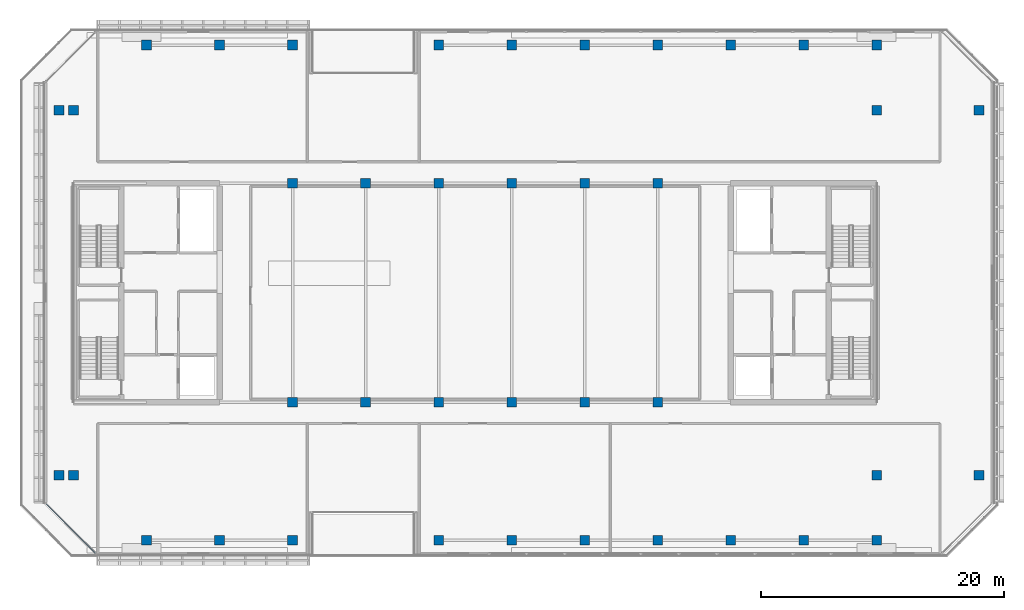
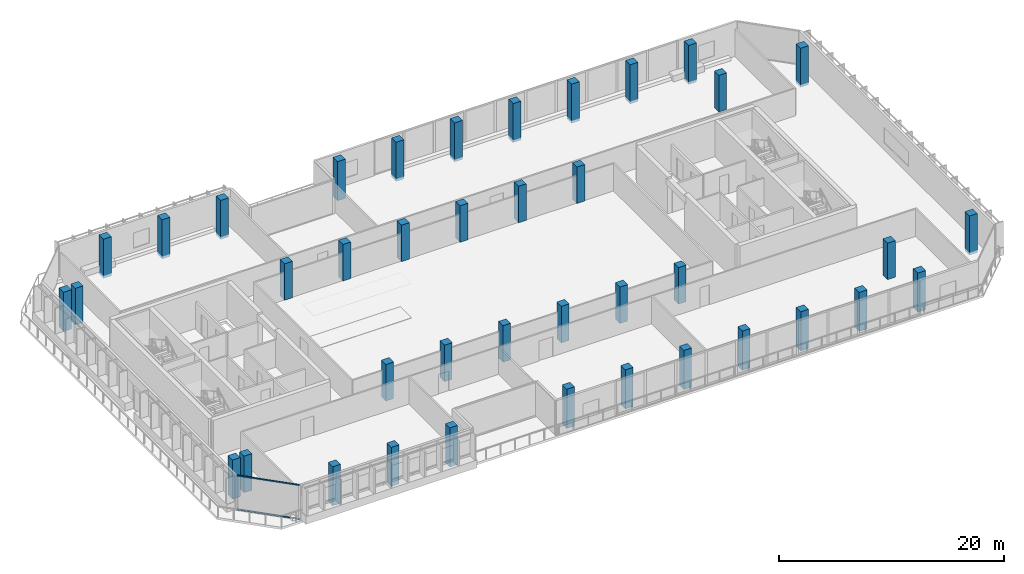
# One storey, part 1 of 26: 40 columns, 2 members, 1 element without a shape of its own.
"""IFC4 building model written with IfcOpenShell, lengths in metres."""

from ifc_helpers import new_model, si_unit, direction, frame, origin, origin_2d, place, context, subcontext, project, spatial, rectangle, hollow_rectangle, extrude, material, layer, layer_set, material_profile, profile_set, type_object, element, aggregate, save


model = new_model("IFC4")

# Units and contexts
model_context = context("Model", 3, precision=1e-05, world=origin(), true_north=direction((0.0, 1.0)))
body_context = subcontext(model_context, "Body", "Model", "MODEL_VIEW")
ifc_project = project(units=[si_unit("LENGTHUNIT", "METRE"), si_unit("AREAUNIT", "SQUARE_METRE"), si_unit("VOLUMEUNIT", "CUBIC_METRE"), si_unit("PLANEANGLEUNIT", "RADIAN"), si_unit("MASSUNIT", "GRAM", prefix="KILO")], contexts=[model_context])

# Site, building, storey
site_placement = place(None, origin())
site = spatial("IfcSite", under=ifc_project, at=site_placement, CompositionType="ELEMENT")
building_placement = place(site_placement, origin())
building = spatial("IfcBuilding", under=site, at=building_placement, Name="Tanjung Sevakor Pilgrim Tower", CompositionType="ELEMENT")
storey_placement = place(building_placement, frame((0.0, 0.0, 177.8701171875)))
storey = spatial("IfcBuildingStorey", under=building, at=storey_placement, Name="L49", CompositionType="ELEMENT", Elevation=177.8701171875)

# Columns
ifc_material_1 = material(Name="Concrete C60/75", Category="concrete")
ifc_material_profile_1 = material_profile(ifc_material_1, rectangle(XDim=0.800048828125, YDim=0.800048828125, at=origin_2d()))
ifc_profile_set_1 = profile_set([ifc_material_profile_1], Name="Concrete C60/75")
column_type = type_object("IfcColumnType", Name="COL-C-T800-RC_800x800", PredefinedType="COLUMN", material=ifc_profile_set_1)
for number, where, z_axis, x_axis, name in (
    (1, (42.0, 24.60009765625, 0.0), (0.0, 0.0, 1.0), (1.0, 0.0, 0.0), "L49 Column SPW-042-246"),
    (2, (42.0, 42.60009765625, 0.0), (0.0, 0.0, 1.0), (1.0, 0.0, 0.0), "L49 Column SPW-042-426"),
    (3, (48.0, 24.60009765625, 0.0), (0.0, 0.0, 1.0), (1.0, 0.0, 0.0), "L49 Column SPW-048-246"),
    (4, (48.0, 42.60009765625, 0.0), (0.0, 0.0, 1.0), (1.0, 0.0, 0.0), "L49 Column SPW-048-426"),
    (5, (54.0, 24.60009765625, 0.0), (0.0, 0.0, 1.0), (1.0, 0.0, 0.0), "L49 Column SPE-054-246"),
    (6, (54.0, 42.60009765625, 0.0), (0.0, 0.0, 1.0), (1.0, 0.0, 0.0), "L49 Column SPE-054-426"),
    (7, (60.0, 24.60009765625, 0.0), (0.0, 0.0, 1.0), (1.0, 0.0, 0.0), "L49 Column SPE-060-246"),
    (8, (60.0, 42.60009765625, 0.0), (0.0, 0.0, 1.0), (1.0, 0.0, 0.0), "L49 Column SPE-060-426"),
    (9, (66.0, 24.60009765625, 0.0), (0.0, 0.0, 1.0), (1.0, 0.0, 0.0), "L49 Column SPE-066-246"),
    (10, (66.0, 42.60009765625, 0.0), (0.0, 0.0, 1.0), (1.0, 0.0, 0.0), "L49 Column SPE-066-426"),
    (11, (72.0, 24.60009765625, 0.0), (0.0, 0.0, 1.0), (1.0, 0.0, 0.0), "L49 Column SPE-072-246"),
    (12, (72.0, 42.60009765625, 0.0), (0.0, 0.0, 1.0), (1.0, 0.0, 0.0), "L49 Column SPE-072-426"),
):
    element("IfcColumn", number, at=place(storey_placement, frame(where, z_axis=z_axis, x_axis=x_axis)), inside=storey, type_object=column_type, Name=name, PredefinedType="COLUMN", context=body_context, shape_type="SweptSolid", body=[
        extrude(rectangle(XDim=0.800048828125, YDim=0.800048828125, at=origin_2d()), origin(), (0.0, 0.0, 1.0), 3.9599609375),
    ])
for number, where, z_axis, x_axis, name in (
    (13, (22.800048828125, 18.60009765625, -0.280029296875), (0.0, 0.0, 1.0), (1.0, 0.0, 0.0), "L49 Column TCE-0228-186"),
    (14, (22.800048828125, 48.60009765625, -0.280029296875), (0.0, 0.0, 1.0), (1.0, 0.0, 0.0), "L49 Column TCE-0228-486"),
):
    element("IfcColumn", number, at=place(storey_placement, frame(where, z_axis=z_axis, x_axis=x_axis)), inside=storey, type_object=column_type, Name=name, PredefinedType="COLUMN", context=body_context, shape_type="SweptSolid", body=[
        extrude(rectangle(XDim=0.800048828125, YDim=0.800048828125, at=origin_2d()), origin(), (0.0, 0.0, 1.0), 4.239990234375),
    ])
for number, where, z_axis, x_axis, name in (
    (15, (24.0, 18.60009765625, 0.0), (0.0, 0.0, 1.0), (1.0, 0.0, 0.0), "L49 Column TCE-0240-186"),
    (16, (24.0, 48.60009765625, 0.0), (0.0, 0.0, 1.0), (1.0, 0.0, 0.0), "L49 Column TCE-0240-486"),
    (17, (90.0, 18.60009765625, 0.0), (0.0, 0.0, 1.0), (1.0, 0.0, 0.0), "L49 Column TCE-0900-186"),
    (18, (90.0, 48.60009765625, 0.0), (0.0, 0.0, 1.0), (1.0, 0.0, 0.0), "L49 Column TCE-0900-486"),
):
    element("IfcColumn", number, at=place(storey_placement, frame(where, z_axis=z_axis, x_axis=x_axis)), inside=storey, type_object=column_type, Name=name, PredefinedType="COLUMN", context=body_context, shape_type="SweptSolid", body=[
        extrude(rectangle(XDim=0.800048828125, YDim=0.800048828125, at=origin_2d()), origin(), (0.0, 0.0, 1.0), 3.9599609375),
    ])
for number, where, z_axis, x_axis, name in (
    (19, (98.39990234375, 18.60009765625, -0.280029296875), (0.0, 0.0, 1.0), (1.0, 0.0, 0.0), "L49 Column TCE-0984-186"),
    (20, (98.39990234375, 48.60009765625, -0.280029296875), (0.0, 0.0, 1.0), (1.0, 0.0, 0.0), "L49 Column TCE-0984-486"),
    (21, (30.0, 13.25, -0.280029296875), (0.0, 0.0, 1.0), (1.0, 0.0, 0.0), "L49 Column TC4-030-132"),
    (22, (30.0, 53.949951171875, -0.280029296875), (0.0, 0.0, 1.0), (1.0, 0.0, 0.0), "L49 Column TC4-030-540"),
    (23, (36.0, 13.25, -0.280029296875), (0.0, 0.0, 1.0), (1.0, 0.0, 0.0), "L49 Column TC4-036-132"),
    (24, (36.0, 53.949951171875, -0.280029296875), (0.0, 0.0, 1.0), (1.0, 0.0, 0.0), "L49 Column TC4-036-540"),
    (25, (42.0, 13.25, -0.280029296875), (0.0, 0.0, 1.0), (1.0, 0.0, 0.0), "L49 Column TC4-042-132"),
    (26, (42.0, 53.949951171875, -0.280029296875), (0.0, 0.0, 1.0), (1.0, 0.0, 0.0), "L49 Column TC4-042-540"),
    (27, (54.0, 13.25, -0.280029296875), (0.0, 0.0, 1.0), (1.0, 0.0, 0.0), "L49 Column TC4-054-132"),
    (28, (54.0, 53.949951171875, -0.280029296875), (0.0, 0.0, 1.0), (1.0, 0.0, 0.0), "L49 Column TC4-054-540"),
    (29, (60.0, 13.25, -0.280029296875), (0.0, 0.0, 1.0), (1.0, 0.0, 0.0), "L49 Column TC4-060-132"),
    (30, (60.0, 53.949951171875, -0.280029296875), (0.0, 0.0, 1.0), (1.0, 0.0, 0.0), "L49 Column TC4-060-540"),
    (31, (66.0, 13.25, -0.280029296875), (0.0, 0.0, 1.0), (1.0, 0.0, 0.0), "L49 Column TC4-066-132"),
    (32, (66.0, 53.949951171875, -0.280029296875), (0.0, 0.0, 1.0), (1.0, 0.0, 0.0), "L49 Column TC4-066-540"),
    (33, (72.0, 13.25, -0.280029296875), (0.0, 0.0, 1.0), (1.0, 0.0, 0.0), "L49 Column TC4-072-132"),
    (34, (72.0, 53.949951171875, -0.280029296875), (0.0, 0.0, 1.0), (1.0, 0.0, 0.0), "L49 Column TC4-072-540"),
    (35, (78.0, 13.25, -0.280029296875), (0.0, 0.0, 1.0), (1.0, 0.0, 0.0), "L49 Column TC4-078-132"),
    (36, (78.0, 53.949951171875, -0.280029296875), (0.0, 0.0, 1.0), (1.0, 0.0, 0.0), "L49 Column TC4-078-540"),
    (37, (84.0, 13.25, -0.280029296875), (0.0, 0.0, 1.0), (1.0, 0.0, 0.0), "L49 Column TC4-084-132"),
    (38, (84.0, 53.949951171875, -0.280029296875), (0.0, 0.0, 1.0), (1.0, 0.0, 0.0), "L49 Column TC4-084-540"),
    (39, (90.0, 13.25, -0.280029296875), (0.0, 0.0, 1.0), (1.0, 0.0, 0.0), "L49 Column TC4-090-132"),
    (40, (90.0, 53.949951171875, -0.280029296875), (0.0, 0.0, 1.0), (1.0, 0.0, 0.0), "L49 Column TC4-090-540"),
):
    element("IfcColumn", number, at=place(storey_placement, frame(where, z_axis=z_axis, x_axis=x_axis)), inside=storey, type_object=column_type, Name=name, PredefinedType="COLUMN", context=body_context, shape_type="SweptSolid", body=[
        extrude(rectangle(XDim=0.800048828125, YDim=0.800048828125, at=origin_2d()), origin(), (0.0, 0.0, 1.0), 4.239990234375),
    ])

# Curtain wall, members
ifc_material_2 = material(Name="Aluminium 6063-T6 and Low-E Glass", Category="aluminium")
ifc_layer = layer(ifc_material_2, 0.179931640625)
ifc_layer_set = layer_set([ifc_layer], Name="CW-SYS-CHAM")
curtain_wall_type = type_object("IfcCurtainWallType", Name="CW-SYS-CHAM", PredefinedType="NOTDEFINED", material=ifc_layer_set)
curtain_wall_placement = place(storey_placement, origin())
curtain_wall = element("IfcCurtainWall", 41, at=curtain_wall_placement, inside=storey, type_object=curtain_wall_type, Name="L49 Curtain Wall CW-CHM-L49-MAIN-15", PredefinedType="NOTDEFINED")
ifc_material_3 = material(Name="Aluminium 6063-T6", Category="aluminium")
ifc_material_profile_2 = material_profile(ifc_material_3, hollow_rectangle(XDim=0.06494140625, YDim=0.139892578125, WallThickness=0.00390625, at=origin_2d()))
ifc_profile_set_2 = profile_set([ifc_material_profile_2], Name="Aluminium 6063-T6")
member_type = type_object("IfcMemberType", Name="TYPE-CWT-1", PredefinedType="USERDEFINED", material=ifc_profile_set_2)
member_1_placement = place(storey_placement, frame((21.755859375, 16.249755859375, 0.032470703125), z_axis=(0.707106781187, -0.707106781187, 0.0), x_axis=(0.707106781187, 0.707106781187, 0.0)))
member_1 = element("IfcMember", 42, at=member_1_placement, type_object=member_type, Name="CW-CHM transom 1.1", ObjectType="TRANSOM", PredefinedType="USERDEFINED", context=body_context, shape_type="SweptSolid", body=[
    extrude(hollow_rectangle(XDim=0.06494140625, YDim=0.139892578125, WallThickness=0.00390625, at=origin_2d()), origin(), (0.0, 0.0, 1.0), 5.71875),
])
member_2_placement = place(storey_placement, frame((21.755859375, 16.249755859375, 3.707275390625), z_axis=(0.707106781187, -0.707106781187, 0.0), x_axis=(0.707106781187, 0.707106781187, 0.0)))
member_2 = element("IfcMember", 43, at=member_2_placement, type_object=member_type, Name="CW-CHM transom 1.2", ObjectType="TRANSOM", PredefinedType="USERDEFINED", context=body_context, shape_type="SweptSolid", body=[
    extrude(hollow_rectangle(XDim=0.06494140625, YDim=0.139892578125, WallThickness=0.00390625, at=origin_2d()), origin(), (0.0, 0.0, 1.0), 5.71875),
])
aggregate(curtain_wall, [member_1, member_2])

save(model, "model.ifc")
